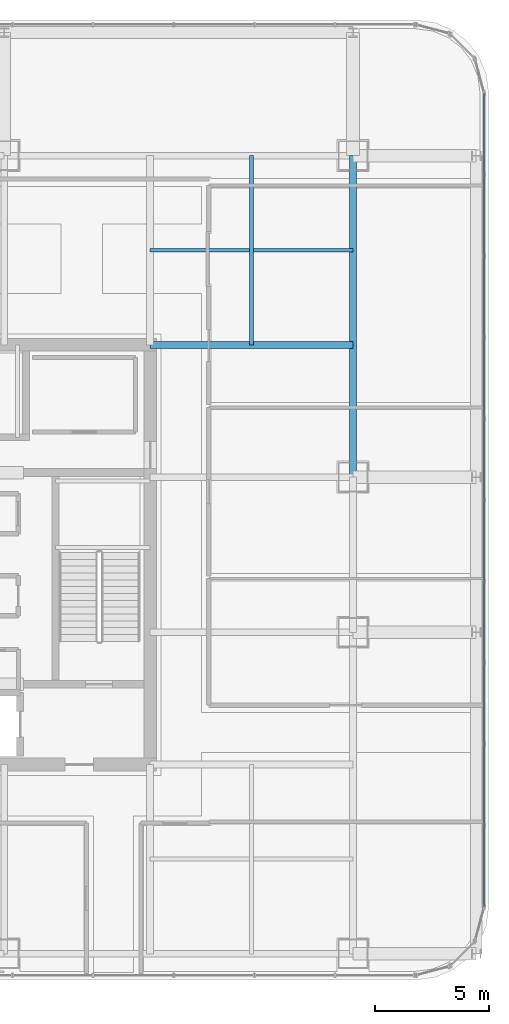
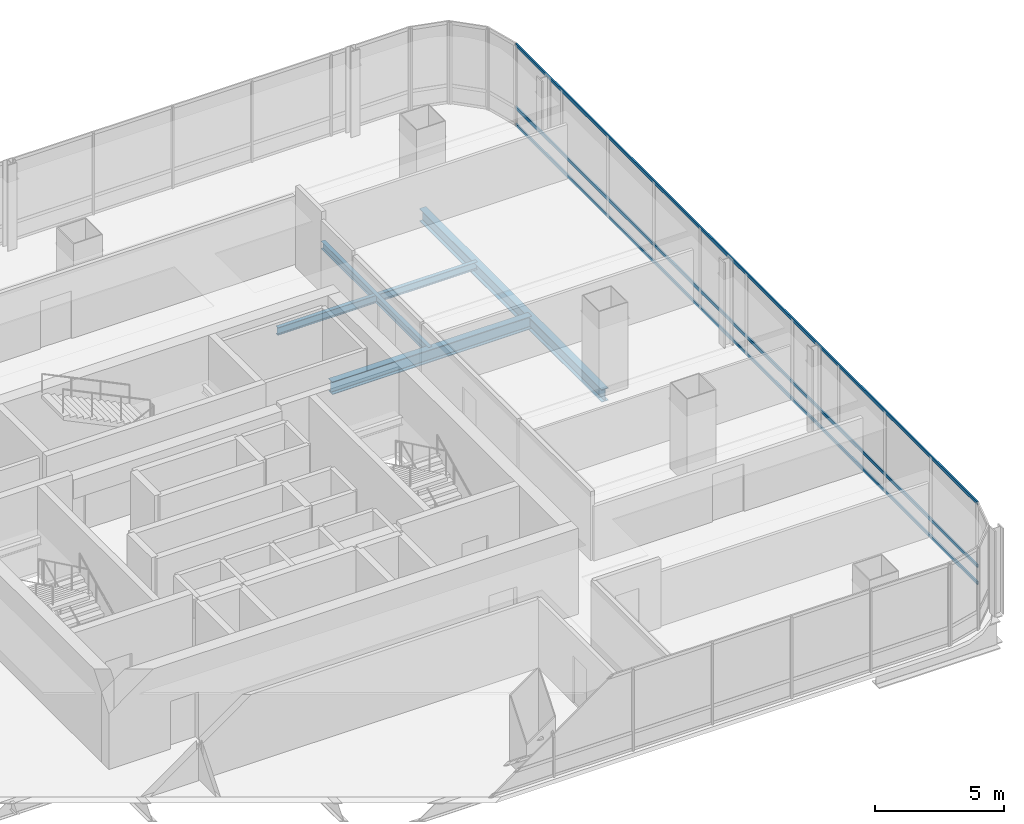
# One storey, part 20 of 42: 4 beams, 3 members, 1 element without a shape of its own.
"""IFC4 building model written with IfcOpenShell, lengths in metres."""

from ifc_helpers import new_model, si_unit, direction, frame, origin, origin_2d, place, context, subcontext, project, spatial, hollow_rectangle, i_section, extrude, material, material_profile, profile_set, type_object, element, aggregate, save


model = new_model("IFC4")

# Units and contexts
model_context = context("Model", 3, precision=1e-05, world=origin(), true_north=direction((0.0, 1.0)))
body_context = subcontext(model_context, "Body", "Model", "MODEL_VIEW")
ifc_project = project(units=[si_unit("LENGTHUNIT", "METRE"), si_unit("AREAUNIT", "SQUARE_METRE"), si_unit("VOLUMEUNIT", "CUBIC_METRE"), si_unit("PLANEANGLEUNIT", "RADIAN"), si_unit("MASSUNIT", "GRAM", prefix="KILO")], contexts=[model_context])

# Site, building, storey
site_placement = place(None, origin())
site = spatial("IfcSite", under=ifc_project, at=site_placement, CompositionType="ELEMENT")
building_placement = place(site_placement, origin())
building = spatial("IfcBuilding", under=site, at=building_placement, Name="Punatoya Terracotta Tower", CompositionType="ELEMENT")
storey_placement = place(building_placement, frame((0.0, 0.0, 255.449951171875)))
storey = spatial("IfcBuildingStorey", under=building, at=storey_placement, Name="L60", CompositionType="ELEMENT", Elevation=255.449951171875)

# Beams
ifc_material_1 = material(Name="Steel S355", Category="steel")
ifc_material_profile_1 = material_profile(ifc_material_1, i_section(OverallWidth=0.300048828125, OverallDepth=0.60009765625, WebThickness=0.015380859375, FlangeThickness=0.030029296875, FilletRadius=0.01806640625, at=origin_2d()))
ifc_profile_set_1 = profile_set([ifc_material_profile_1], Name="Steel S355")
beam_type_1 = type_object("IfcBeamType", Name="BM-PRI-600", PredefinedType="BEAM", material=ifc_profile_set_1)
beam_1_placement = place(storey_placement, frame((19.10009765625, 3.39990234375, -0.5), z_axis=(0.0, 1.0, 0.0), x_axis=(-1.0, 0.0, 0.0)))
element("IfcBeam", 1, at=beam_1_placement, inside=storey, type_object=beam_type_1, Name="BM-L60-RG-E3", PredefinedType="BEAM", context=body_context, shape_type="SweptSolid", body=[
    extrude(i_section(OverallWidth=0.300048828125, OverallDepth=0.60009765625, WebThickness=0.015380859375, FlangeThickness=0.030029296875, FilletRadius=0.01806640625, at=origin_2d()), origin(), (0.0, 0.0, 1.0), 14.10009765625),
])
beam_2_placement = place(storey_placement, frame((10.199951171875, 9.199951171875, -0.5), z_axis=(1.0, 0.0, 0.0), x_axis=(0.0, 1.0, 0.0)))
element("IfcBeam", 2, at=beam_2_placement, inside=storey, type_object=beam_type_1, Name="BM-L60-PR-EN", PredefinedType="BEAM", context=body_context, shape_type="SweptSolid", body=[
    extrude(i_section(OverallWidth=0.300048828125, OverallDepth=0.60009765625, WebThickness=0.015380859375, FlangeThickness=0.030029296875, FilletRadius=0.01806640625, at=origin_2d()), origin(), (0.0, 0.0, 1.0), 8.900146484375),
])
ifc_material_profile_2 = material_profile(ifc_material_1, i_section(OverallWidth=0.169921875, OverallDepth=0.360107421875, WebThickness=0.008056640625, FlangeThickness=0.0126953125, FilletRadius=0.01806640625, at=origin_2d()))
ifc_profile_set_2 = profile_set([ifc_material_profile_2], Name="Steel S355")
beam_type_2 = type_object("IfcBeamType", Name="BM-SEC-360", PredefinedType="JOIST", material=ifc_profile_set_2)
beam_3_placement = place(storey_placement, frame((10.199951171875, 13.35009765625, -0.3798828125), z_axis=(1.0, 0.0, 0.0), x_axis=(0.0, 1.0, 0.0)))
element("IfcBeam", 3, at=beam_3_placement, inside=storey, type_object=beam_type_2, Name="BM-L60-SJN-2", PredefinedType="JOIST", context=body_context, shape_type="SweptSolid", body=[
    extrude(i_section(OverallWidth=0.169921875, OverallDepth=0.360107421875, WebThickness=0.008056640625, FlangeThickness=0.0126953125, FilletRadius=0.01806640625, at=origin_2d()), origin(), (0.0, 0.0, 1.0), 8.900146484375),
])
beam_4_placement = place(storey_placement, frame((14.64990234375, 9.199951171875, -0.3798828125), z_axis=(0.0, 1.0, 0.0), x_axis=(-1.0, 0.0, 0.0)))
element("IfcBeam", 4, at=beam_4_placement, inside=storey, type_object=beam_type_2, Name="BM-L60-SJE-2", PredefinedType="JOIST", context=body_context, shape_type="SweptSolid", body=[
    extrude(i_section(OverallWidth=0.169921875, OverallDepth=0.360107421875, WebThickness=0.008056640625, FlangeThickness=0.0126953125, FilletRadius=0.01806640625, at=origin_2d()), origin(), (0.0, 0.0, 1.0), 8.300048828125),
])

# Curtain wall, members
ifc_material_2 = material(Name="Aluminium 6063-T6 + Double Low-E Glass", Category="aluminium")
curtain_wall_type = type_object("IfcCurtainWallType", Name="CW-M3", PredefinedType="NOTDEFINED", material=ifc_material_2)
curtain_wall_placement = place(storey_placement, origin())
curtain_wall = element("IfcCurtainWall", 5, at=curtain_wall_placement, inside=storey, type_object=curtain_wall_type, Name="L60 Curtain Wall CW-L60-E05-1", PredefinedType="NOTDEFINED")
ifc_material_3 = material(Name="Aluminium 6063-T6", Category="aluminium")
ifc_material_profile_3 = material_profile(ifc_material_3, hollow_rectangle(XDim=0.068115234375, YDim=0.14990234375, WallThickness=0.00390625, at=origin_2d()))
ifc_profile_set_3 = profile_set([ifc_material_profile_3], Name="Aluminium 6063-T6")
member_type = type_object("IfcMemberType", Name="CW-TRN-TYP", PredefinedType="USERDEFINED", material=ifc_profile_set_3)
member_1_placement = place(storey_placement, frame((24.85009765625, -15.43701171875, 0.0400390625), z_axis=(0.0, 1.0, 0.0), x_axis=(-1.0, 0.0, 0.0)))
member_1 = element("IfcMember", 6, at=member_1_placement, type_object=member_type, Name="CW-L60-E05-1 Transom 1", ObjectType="TRANSOM", PredefinedType="USERDEFINED", context=body_context, shape_type="SweptSolid", body=[
    extrude(hollow_rectangle(XDim=0.068115234375, YDim=0.14990234375, WallThickness=0.00390625, at=origin_2d()), origin(), (0.0, 0.0, 1.0), 35.673828125),
])
member_2_placement = place(storey_placement, frame((24.85009765625, -15.43701171875, 0.85009765625), z_axis=(0.0, 1.0, 0.0), x_axis=(-1.0, 0.0, 0.0)))
member_2 = element("IfcMember", 7, at=member_2_placement, type_object=member_type, Name="CW-L60-E05-1 Transom 2", ObjectType="TRANSOM", PredefinedType="USERDEFINED", context=body_context, shape_type="SweptSolid", body=[
    extrude(hollow_rectangle(XDim=0.068115234375, YDim=0.14990234375, WallThickness=0.00390625, at=origin_2d()), origin(), (0.0, 0.0, 1.0), 35.673828125),
])
member_3_placement = place(storey_placement, frame((24.85009765625, -15.43701171875, 3.81005859375), z_axis=(0.0, 1.0, 0.0), x_axis=(-1.0, 0.0, 0.0)))
member_3 = element("IfcMember", 8, at=member_3_placement, type_object=member_type, Name="CW-L60-E05-1 Transom 3", ObjectType="TRANSOM", PredefinedType="USERDEFINED", context=body_context, shape_type="SweptSolid", body=[
    extrude(hollow_rectangle(XDim=0.068115234375, YDim=0.14990234375, WallThickness=0.00390625, at=origin_2d()), origin(), (0.0, 0.0, 1.0), 35.673828125),
])
aggregate(curtain_wall, [member_1, member_2, member_3])

save(model, "model.ifc")
